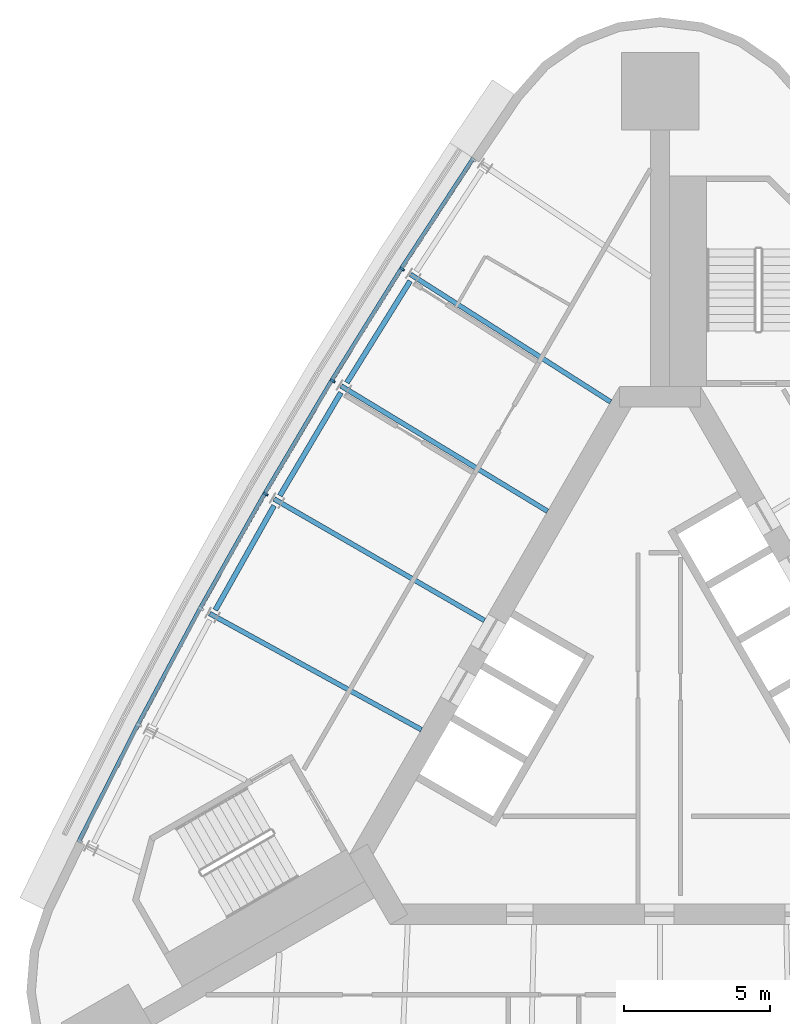
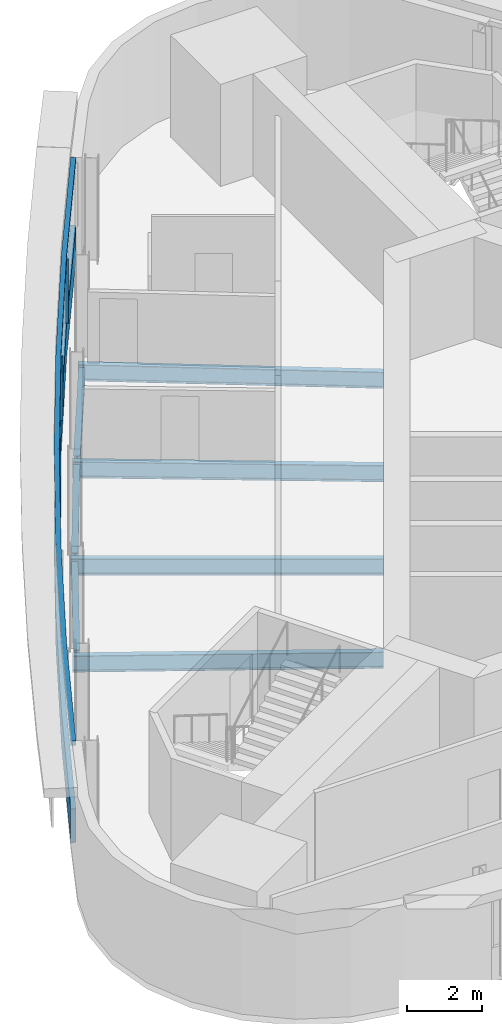
# One storey, part 3 of 11: 7 beams, 5 members, 1 element without a shape of its own.
"""IFC4 building model written with IfcOpenShell, lengths in metres."""

from ifc_helpers import new_model, si_unit, direction, frame, origin, origin_2d, place, context, subcontext, project, spatial, polyline, rectangle, i_section, outline, extrude, material, material_profile, profile_set, type_object, element, aggregate, save


model = new_model("IFC4")

# Units and contexts
model_context = context("Model", 3, precision=1e-05, world=origin(), true_north=direction((0.0, 1.0)))
body_context = subcontext(model_context, "Body", "Model", "MODEL_VIEW")
ifc_project = project(units=[si_unit("LENGTHUNIT", "METRE"), si_unit("AREAUNIT", "SQUARE_METRE"), si_unit("VOLUMEUNIT", "CUBIC_METRE"), si_unit("PLANEANGLEUNIT", "RADIAN"), si_unit("MASSUNIT", "GRAM", prefix="KILO")], contexts=[model_context])

# Site, building, storey
site_placement = place(None, origin())
site = spatial("IfcSite", under=ifc_project, at=site_placement, CompositionType="ELEMENT")
building_placement = place(site_placement, origin())
building = spatial("IfcBuilding", under=site, at=building_placement, Name="Noor Cloister Tower", CompositionType="ELEMENT")
storey_placement = place(building_placement, frame((0.0, 0.0, 206.699951171875)))
storey = spatial("IfcBuildingStorey", under=building, at=storey_placement, Name="L53", CompositionType="ELEMENT", Elevation=206.699951171875)

# Curtain wall, members
ifc_material_1 = material(Name="Aluminium 6063-T6 anodised", Category="aluminium")
curtain_wall_type = type_object("IfcCurtainWallType", Name="Ribbon curtain wall, upper tower CW5", PredefinedType="NOTDEFINED", material=ifc_material_1)
curtain_wall_placement = place(storey_placement, origin())
curtain_wall = element("IfcCurtainWall", 1, at=curtain_wall_placement, inside=storey, type_object=curtain_wall_type, Name="CW5 L53 NW run 1", PredefinedType="NOTDEFINED")
ifc_material_2 = material(Name="Aluminium 6063-T6 anodised", Category="aluminium")
member_type_1 = type_object("IfcMemberType", Name="Head transom CW5 150", PredefinedType="USERDEFINED", material=ifc_material_2)
member_1_placement = place(storey_placement, frame((0.0, 0.0, 3.150146484375)))
member_1 = element("IfcMember", 2, at=member_1_placement, type_object=member_type_1, Name="CW5 head transom", ObjectType="TRANSOM", PredefinedType="USERDEFINED", context=body_context, shape_type="SweptSolid", body=[
    extrude(outline(polyline([(-6.43896484375, 19.294677734375), (-8.898681640625, 15.526611328125), (-11.275390625, 11.70556640625), (-13.56787109375, 7.83349609375), (-15.775146484375, 3.912109375), (-17.895751953125, -0.056884765625), (-19.92919921875, -4.071044921875), (-19.804443359375, -4.13427734375), (-17.771728515625, -0.121337890625), (-15.65234375, 3.8447265625), (-13.446533203125, 7.763427734375), (-11.15576171875, 11.633056640625), (-8.78076171875, 15.451416015625), (-6.32177734375, 19.21826171875), (-6.43896484375, 19.294677734375)])), origin(), (0.0, 0.0, 1.0), 0.14990234375),
])
ifc_material_3 = material(Name="Aluminium 6063-T6 anodised", Category="aluminium")
ifc_material_profile_1 = material_profile(ifc_material_3, rectangle(XDim=0.179931640625, YDim=0.070068359375, at=origin_2d()), Name="180 x 70 mullion")
ifc_profile_set_1 = profile_set([ifc_material_profile_1], Name="Aluminium 6063-T6 anodised")
member_type_2 = type_object("IfcMemberType", Name="Mullion CW5 70 x 180", PredefinedType="MULLION", material=ifc_profile_set_1)
member_2_placement = place(storey_placement, frame((-8.814453125, 15.472900390625, 1.10009765625), z_axis=(0.0, 0.0, 1.0), x_axis=(0.843311023043, -0.537425825965, 0.0)))
member_2 = element("IfcMember", 3, at=member_2_placement, type_object=member_type_2, Name="CW5 mullion 2", PredefinedType="MULLION", context=body_context, shape_type="SweptSolid", body=[
    extrude(rectangle(XDim=0.179931640625, YDim=0.070068359375, at=origin_2d()), origin(), (0.0, 0.0, 1.0), 2.050048828125),
])
member_3_placement = place(storey_placement, frame((-11.18994140625, 11.65380859375, 1.10009765625), z_axis=(0.0, 0.0, 1.0), x_axis=(0.854873043434, -0.518837238071, 0.0)))
member_3 = element("IfcMember", 4, at=member_3_placement, type_object=member_type_2, Name="CW5 mullion 3", PredefinedType="MULLION", context=body_context, shape_type="SweptSolid", body=[
    extrude(rectangle(XDim=0.179931640625, YDim=0.070068359375, at=origin_2d()), origin(), (0.0, 0.0, 1.0), 2.050048828125),
])
member_4_placement = place(storey_placement, frame((-13.481201171875, 7.783447265625, 1.10009765625), z_axis=(0.0, 0.0, 1.0), x_axis=(0.866025403784, -0.5, 0.0)))
member_4 = element("IfcMember", 5, at=member_4_placement, type_object=member_type_2, Name="CW5 mullion 4", PredefinedType="MULLION", context=body_context, shape_type="SweptSolid", body=[
    extrude(rectangle(XDim=0.179931640625, YDim=0.070068359375, at=origin_2d()), origin(), (0.0, 0.0, 1.0), 2.050048828125),
])

# Beams
ifc_material_4 = material(Name="Steel ASTM A992 Gr 50", Category="steel")
ifc_material_profile_2 = material_profile(ifc_material_4, i_section(OverallWidth=0.166015625, OverallDepth=0.528076171875, WebThickness=0.009765625, FlangeThickness=0.013671875, FilletRadius=0.0126953125, at=origin_2d()), Name="W530x74")
ifc_profile_set_2 = profile_set([ifc_material_profile_2], Name="Steel ASTM A992 Gr 50")
beam_type_1 = type_object("IfcBeamType", Name="Radial beam W530x74", PredefinedType="BEAM", material=ifc_profile_set_2)
beam_1_placement = place(storey_placement, frame((-8.529296875, 15.291259765625, -0.4638671875), z_axis=(0.843305632065, -0.537434285217, 0.0), x_axis=(0.537434285217, 0.843305632065, 0.0)))
element("IfcBeam", 6, at=beam_1_placement, inside=storey, type_object=beam_type_1, Name="Radial beam NW 02 L53", PredefinedType="BEAM", context=body_context, shape_type="SweptSolid", body=[
    extrude(i_section(OverallWidth=0.166015625, OverallDepth=0.528076171875, WebThickness=0.009765625, FlangeThickness=0.013671875, FilletRadius=0.0126953125, at=origin_2d()), origin(), (0.0, 0.0, 1.0), 8.11181640625),
])
beam_2_placement = place(storey_placement, frame((-10.90087890625, 11.478271484375, -0.4638671875), z_axis=(0.854871861659, -0.518839185242, 0.0), x_axis=(0.518839185242, 0.854871861659, 0.0)))
element("IfcBeam", 7, at=beam_2_placement, inside=storey, type_object=beam_type_1, Name="Radial beam NW 03 L53", PredefinedType="BEAM", context=body_context, shape_type="SweptSolid", body=[
    extrude(i_section(OverallWidth=0.166015625, OverallDepth=0.528076171875, WebThickness=0.009765625, FlangeThickness=0.013671875, FilletRadius=0.0126953125, at=origin_2d()), origin(), (0.0, 0.0, 1.0), 8.25341796875),
])
beam_3_placement = place(storey_placement, frame((-13.1884765625, 7.614501953125, -0.4638671875), z_axis=(0.866019052629, -0.500011000363, 0.0), x_axis=(0.500011000363, 0.866019052629, 0.0)))
element("IfcBeam", 8, at=beam_3_placement, inside=storey, type_object=beam_type_1, Name="Radial beam NW 04 L53", PredefinedType="BEAM", context=body_context, shape_type="SweptSolid", body=[
    extrude(i_section(OverallWidth=0.166015625, OverallDepth=0.528076171875, WebThickness=0.009765625, FlangeThickness=0.013671875, FilletRadius=0.0126953125, at=origin_2d()), origin(), (0.0, 0.0, 1.0), 8.300537109375),
])
beam_4_placement = place(storey_placement, frame((-15.39111328125, 3.701416015625, -0.4638671875), z_axis=(0.876764933671, -0.480919173131, 0.0), x_axis=(0.480919173131, 0.876764933671, 0.0)))
element("IfcBeam", 9, at=beam_4_placement, inside=storey, type_object=beam_type_1, Name="Radial beam NW 05 L53", PredefinedType="BEAM", context=body_context, shape_type="SweptSolid", body=[
    extrude(i_section(OverallWidth=0.166015625, OverallDepth=0.528076171875, WebThickness=0.009765625, FlangeThickness=0.013671875, FilletRadius=0.0126953125, at=origin_2d()), origin(), (0.0, 0.0, 1.0), 8.25341796875),
])

# Member
ifc_material_5 = material(Name="Aluminium 6063-T6 anodised", Category="aluminium")
member_type_3 = type_object("IfcMemberType", Name="Sill transom CW5 1100", PredefinedType="USERDEFINED", material=ifc_material_5)
member_5_placement = place(storey_placement, origin())
member_5 = element("IfcMember", 10, at=member_5_placement, type_object=member_type_3, Name="CW5 sill transom", ObjectType="TRANSOM", PredefinedType="USERDEFINED", context=body_context, shape_type="SweptSolid", body=[
    extrude(outline(polyline([(-6.43896484375, 19.294677734375), (-8.898681640625, 15.526611328125), (-11.275390625, 11.70556640625), (-13.56787109375, 7.83349609375), (-15.775146484375, 3.912109375), (-17.895751953125, -0.056884765625), (-19.92919921875, -4.071044921875), (-19.804443359375, -4.13427734375), (-17.771728515625, -0.121337890625), (-15.65234375, 3.8447265625), (-13.446533203125, 7.763427734375), (-11.15576171875, 11.633056640625), (-8.78076171875, 15.451416015625), (-6.32177734375, 19.21826171875), (-6.43896484375, 19.294677734375)])), origin(), (0.0, 0.0, 1.0), 1.10009765625),
])

aggregate(curtain_wall, [member_2, member_3, member_4, member_5, member_1])

# Beams
ifc_material_6 = material(Name="Steel ASTM A992 Gr 50", Category="steel")
ifc_material_profile_3 = material_profile(ifc_material_6, i_section(OverallWidth=0.177978515625, OverallDepth=0.406005859375, WebThickness=0.0078125, FlangeThickness=0.0126953125, FilletRadius=0.01025390625, at=origin_2d()), Name="W410x60")
ifc_profile_set_3 = profile_set([ifc_material_profile_3], Name="Steel ASTM A992 Gr 50")
beam_type_2 = type_object("IfcBeamType", Name="Spandrel beam W410x60", PredefinedType="SPANDREL", material=ifc_profile_set_3)
for number, where, z_axis, x_axis, name in (
    (11, (-8.5390625, 15.063720703125, -0.40283203125), (-0.528137553782, -0.849158833367, 0.0), (0.849158833367, -0.528137553782, 0.0), "Spandrel beam NW 02 L53"),
    (12, (-10.905517578125, 11.250732421875, -0.40283203125), (-0.509470509715, -0.860488117135, 0.0), (0.860488117135, -0.509470509715, 0.0), "Spandrel beam NW 03 L53"),
):
    element("IfcBeam", number, at=place(storey_placement, frame(where, z_axis=z_axis, x_axis=x_axis)), inside=storey, type_object=beam_type_2, Name=name, PredefinedType="SPANDREL", context=body_context, shape_type="SweptSolid", body=[
        extrude(i_section(OverallWidth=0.177978515625, OverallDepth=0.406005859375, WebThickness=0.0078125, FlangeThickness=0.0126953125, FilletRadius=0.01025390625, at=origin_2d()), origin(), (0.0, 0.0, 1.0), 4.09375),
    ])
beam_5_placement = place(storey_placement, frame((-13.188232421875, 7.38671875, -0.40283203125), z_axis=(-0.490496221851, -0.871443317922, 0.0), x_axis=(0.871443317922, -0.490496221851, 0.0)))
element("IfcBeam", 13, at=beam_5_placement, inside=storey, type_object=beam_type_2, Name="Spandrel beam NW 04 L53", PredefinedType="SPANDREL", context=body_context, shape_type="SweptSolid", body=[
    extrude(i_section(OverallWidth=0.177978515625, OverallDepth=0.406005859375, WebThickness=0.0078125, FlangeThickness=0.0126953125, FilletRadius=0.01025390625, at=origin_2d()), origin(), (0.0, 0.0, 1.0), 4.093994140625),
])

save(model, "model.ifc")
